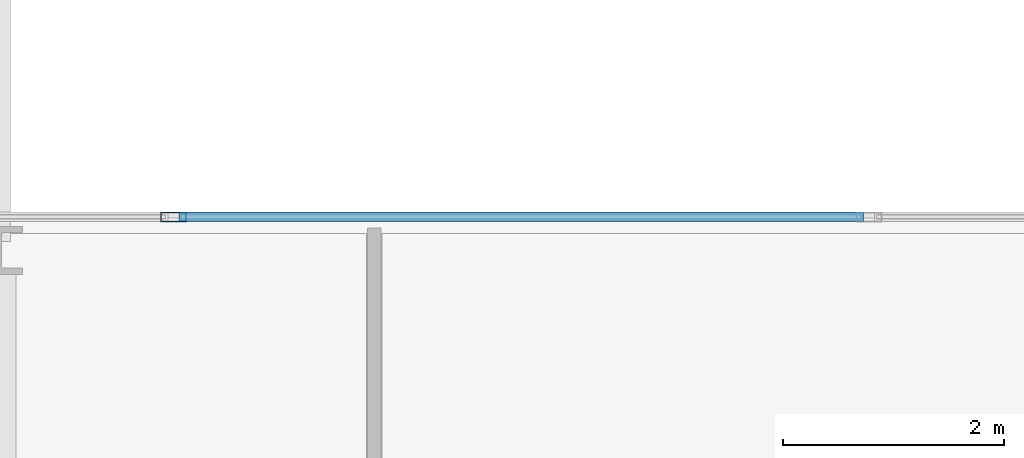
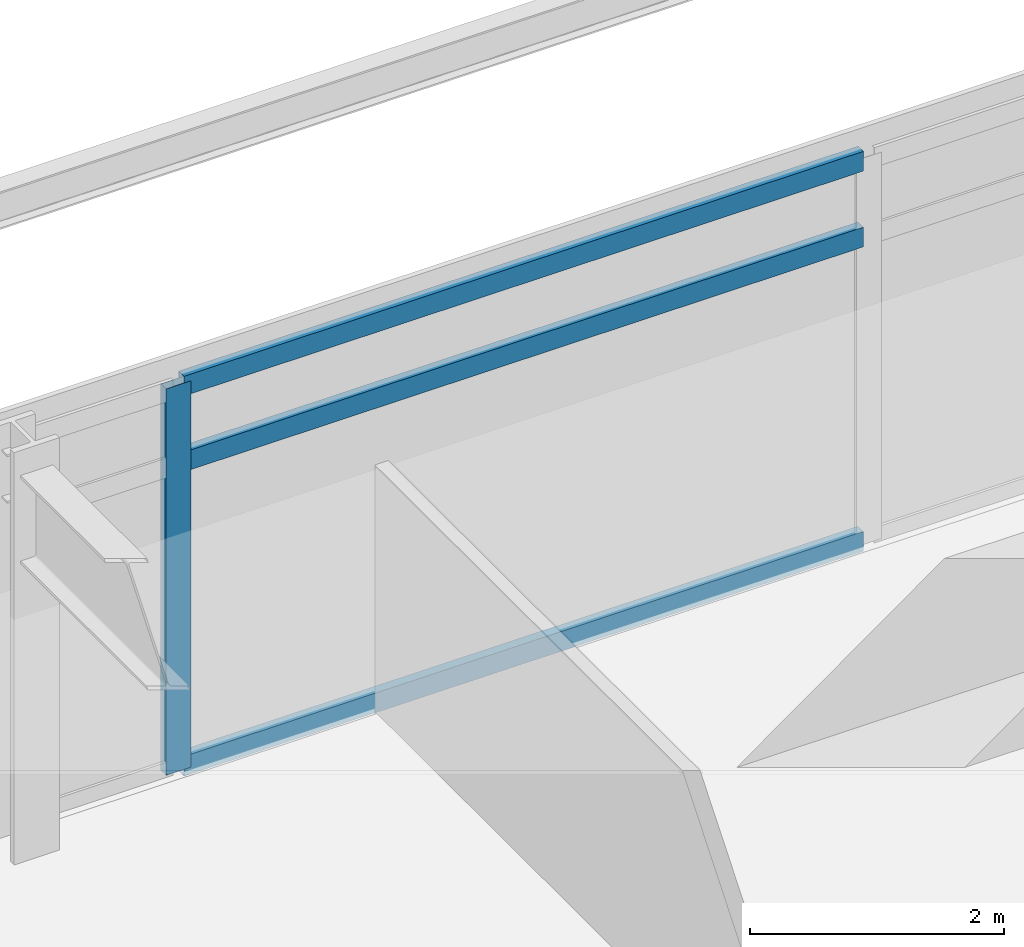
# One storey, part 7 of 22: 4 members, 1 element without a shape of its own.
"""IFC4 building model written with IfcOpenShell, lengths in metres."""

from ifc_helpers import new_model, si_unit, direction, frame, origin, origin_2d, place, context, subcontext, project, spatial, hollow_rectangle, extrude, material, material_profile, profile_set, type_object, element, aggregate, save


model = new_model("IFC4")

# Units and contexts
model_context = context("Model", 3, precision=1e-05, world=origin(), true_north=direction((0.0, 1.0)))
body_context = subcontext(model_context, "Body", "Model", "MODEL_VIEW")
ifc_project = project(units=[si_unit("LENGTHUNIT", "METRE"), si_unit("AREAUNIT", "SQUARE_METRE"), si_unit("VOLUMEUNIT", "CUBIC_METRE"), si_unit("PLANEANGLEUNIT", "RADIAN"), si_unit("MASSUNIT", "GRAM", prefix="KILO")], contexts=[model_context])

# Site, building, storey
site_placement = place(None, origin())
site = spatial("IfcSite", under=ifc_project, at=site_placement, CompositionType="ELEMENT")
building_placement = place(site_placement, origin())
building = spatial("IfcBuilding", under=site, at=building_placement, Name="Kovane Verandah Tower", CompositionType="ELEMENT")
storey_placement = place(building_placement, frame((0.0, 0.0, 59.60009765625)))
storey = spatial("IfcBuildingStorey", under=building, at=storey_placement, Name="L13", CompositionType="ELEMENT", Elevation=59.60009765625)

# Curtain wall, members
ifc_material_1 = material(Name="Champagne Anodised Aluminium Frame with Low-E Clear Laminated Glass", Category="aluminium")
curtain_wall_type = type_object("IfcCurtainWallType", Name="CW-SYS-02-LOW", PredefinedType="NOTDEFINED", material=ifc_material_1)
curtain_wall_placement = place(storey_placement, origin())
curtain_wall = element("IfcCurtainWall", 1, at=curtain_wall_placement, inside=storey, type_object=curtain_wall_type, Name="L13 N Unitised Curtain Wall", PredefinedType="NOTDEFINED")
ifc_material_2 = material(Name="Champagne Anodised Aluminium 6063-T6", Category="aluminium")
ifc_material_profile_1 = material_profile(ifc_material_2, hollow_rectangle(XDim=0.0849609375, YDim=0.22998046875, WallThickness=0.00390625, at=origin_2d()), Name="AL85x230x4")
ifc_profile_set_1 = profile_set([ifc_material_profile_1], Name="Champagne Anodised Aluminium 6063-T6")
member_type_1 = type_object("IfcMemberType", Name="CW-MUL-85x230", PredefinedType="MULLION", material=ifc_profile_set_1)
member_1_placement = place(storey_placement, frame((30.569091796875, 49.8037109375, 0.02001953125), z_axis=(0.0, 0.0, 1.0), x_axis=(0.0, 1.0, 0.0)))
member_1 = element("IfcMember", 2, at=member_1_placement, type_object=member_type_1, Name="L13 N Unitised Curtain Wall Mullion 6", PredefinedType="MULLION", context=body_context, shape_type="SweptSolid", body=[
    extrude(hollow_rectangle(XDim=0.0849609375, YDim=0.22998046875, WallThickness=0.00390625, at=origin_2d()), origin(), (0.0, 0.0, 1.0), 3.719970703125),
])
ifc_material_profile_2 = material_profile(ifc_material_2, hollow_rectangle(XDim=0.0849609375, YDim=0.18994140625, WallThickness=0.00390625, at=origin_2d()), Name="AL85x190x4")
ifc_profile_set_2 = profile_set([ifc_material_profile_2], Name="Champagne Anodised Aluminium 6063-T6")
member_type_2 = type_object("IfcMemberType", Name="CW-TRN-85x190", PredefinedType="USERDEFINED", material=ifc_profile_set_2)
member_2_placement = place(storey_placement, frame((36.806396484375, 49.8037109375, 0.0498046875), z_axis=(-1.0, 0.0, 0.0), x_axis=(0.0, -1.0, 0.0)))
member_2 = element("IfcMember", 3, at=member_2_placement, type_object=member_type_2, Name="L13 N Unitised Curtain Wall Transom TB Bay 5", ObjectType="TRANSOM", PredefinedType="USERDEFINED", context=body_context, shape_type="SweptSolid", body=[
    extrude(hollow_rectangle(XDim=0.0849609375, YDim=0.18994140625, WallThickness=0.00390625, at=origin_2d()), origin(), (0.0, 0.0, 1.0), 6.187255859375),
])
member_3_placement = place(storey_placement, frame((36.806396484375, 49.8037109375, 2.97998046875), z_axis=(-1.0, 0.0, 0.0), x_axis=(0.0, -1.0, 0.0)))
member_3 = element("IfcMember", 4, at=member_3_placement, type_object=member_type_2, Name="L13 N Unitised Curtain Wall Transom TM Bay 5", ObjectType="TRANSOM", PredefinedType="USERDEFINED", context=body_context, shape_type="SweptSolid", body=[
    extrude(hollow_rectangle(XDim=0.0849609375, YDim=0.18994140625, WallThickness=0.00390625, at=origin_2d()), origin(), (0.0, 0.0, 1.0), 6.187255859375),
])
member_4_placement = place(storey_placement, frame((36.806396484375, 49.8037109375, 3.7099609375), z_axis=(-1.0, 0.0, 0.0), x_axis=(0.0, -1.0, 0.0)))
member_4 = element("IfcMember", 5, at=member_4_placement, type_object=member_type_2, Name="L13 N Unitised Curtain Wall Transom TT Bay 5", ObjectType="TRANSOM", PredefinedType="USERDEFINED", context=body_context, shape_type="SweptSolid", body=[
    extrude(hollow_rectangle(XDim=0.0849609375, YDim=0.18994140625, WallThickness=0.00390625, at=origin_2d()), origin(), (0.0, 0.0, 1.0), 6.187255859375),
])
aggregate(curtain_wall, [member_1, member_2, member_3, member_4])

save(model, "model.ifc")
